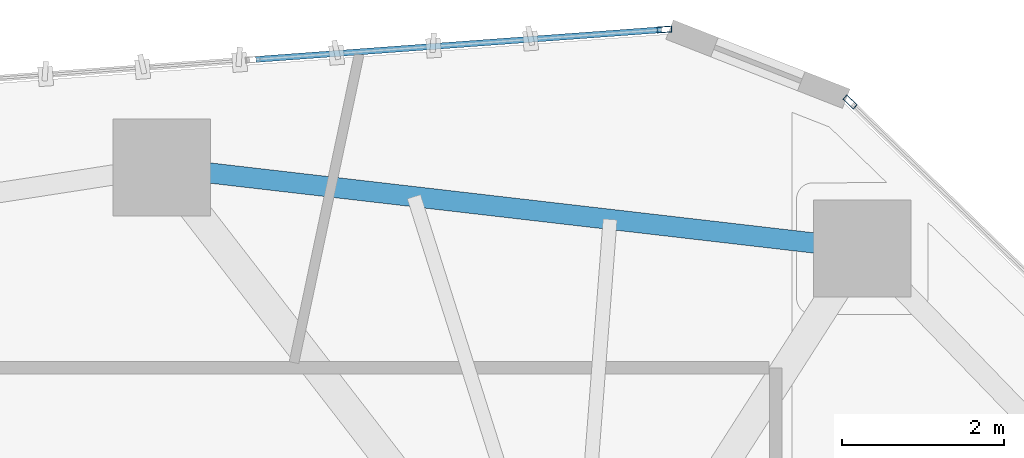
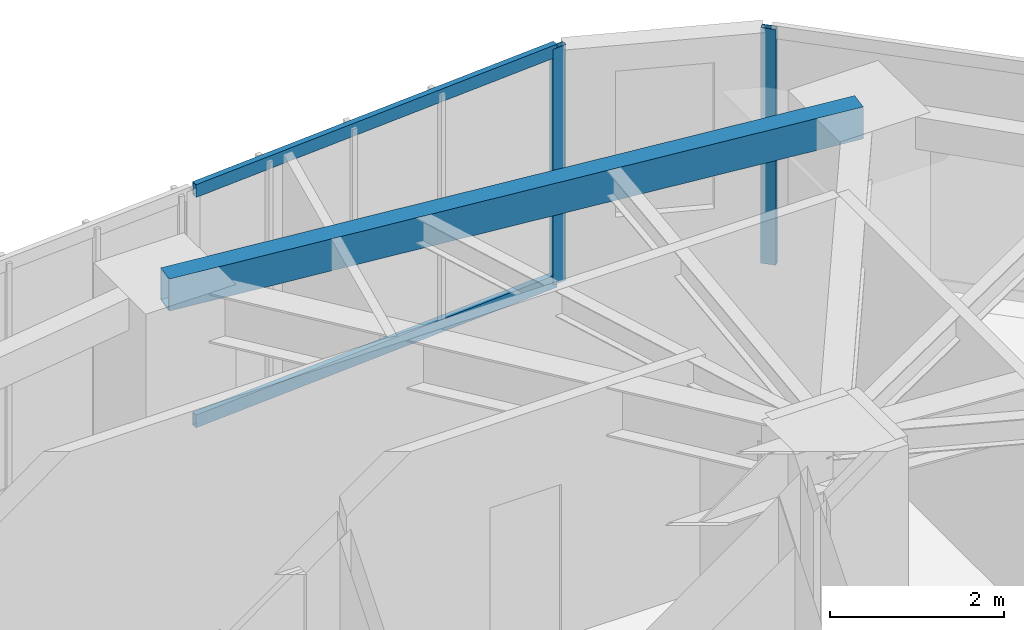
# One storey, part 16 of 23: 4 members, 1 beam, 2 elements without a shape of their own.
"""IFC4 building model written with IfcOpenShell, lengths in metres."""

from ifc_helpers import new_model, si_unit, direction, frame, origin, origin_2d, place, context, subcontext, project, spatial, hollow_rectangle, extrude, source, transform, mapped, material, layer, layer_set, material_profile, profile_set, type_object, type_shapes, element, aggregate, save


model = new_model("IFC4")

# Units and contexts
model_context = context("Model", 3, precision=1e-05, world=origin(), true_north=direction((0.0, 1.0)))
body_context = subcontext(model_context, "Body", "Model", "MODEL_VIEW")
ifc_project = project(units=[si_unit("LENGTHUNIT", "METRE"), si_unit("AREAUNIT", "SQUARE_METRE"), si_unit("VOLUMEUNIT", "CUBIC_METRE"), si_unit("PLANEANGLEUNIT", "RADIAN"), si_unit("MASSUNIT", "GRAM", prefix="KILO")], contexts=[model_context])

# Site, building, storey
site_placement = place(None, origin())
site = spatial("IfcSite", under=ifc_project, at=site_placement, CompositionType="ELEMENT")
building_placement = place(site_placement, origin())
building = spatial("IfcBuilding", under=site, at=building_placement, Name="Talar Marvaseh", CompositionType="ELEMENT")
storey_placement = place(building_placement, frame((0.0, 0.0, 103.800048828125)))
storey = spatial("IfcBuildingStorey", under=building, at=storey_placement, Name="L26", CompositionType="ELEMENT", Elevation=103.800048828125)

# Beam
ifc_material_1 = material(Name="Steel S355", Category="steel")
ifc_material_profile_1 = material_profile(ifc_material_1, hollow_rectangle(XDim=0.25, YDim=0.449951171875, WallThickness=0.01611328125, at=origin_2d()), Name="RHS450x250x16")
ifc_profile_set_1 = profile_set([ifc_material_profile_1], Name="Steel S355")
beam_type = type_object("IfcBeamType", Name="Zone 2 Perimeter Spandrel Beam RHS450x250x16", PredefinedType="SPANDREL", material=ifc_profile_set_1)
beam_placement = place(storey_placement, frame((28.221923828125, 43.471923828125, 3.0849609375), z_axis=(0.993361914569, -0.115030894474, 0.0), x_axis=(0.115030894474, 0.993361914569, 0.0)))
element("IfcBeam", 1, at=beam_placement, inside=storey, type_object=beam_type, Name="L26 Zone 2 Perimeter Spandrel Beam RHS450x250x16", PredefinedType="SPANDREL", context=body_context, shape_type="SweptSolid", body=[
    extrude(hollow_rectangle(XDim=0.25, YDim=0.449951171875, WallThickness=0.01611328125, at=origin_2d()), origin(), (0.0, 0.0, 1.0), 8.701904296875),
])

# Curtain wall, member
ifc_material_2 = material(Name="Architectural Aluminium", Category="aluminium")
ifc_layer = layer(ifc_material_2, 0.199951171875)
ifc_layer_set = layer_set([ifc_layer], Name="Architectural Aluminium")
curtain_wall_type = type_object("IfcCurtainWallType", Name="Unitised Acoustic Library Curtain Wall Z2", PredefinedType="NOTDEFINED", material=ifc_layer_set)
curtain_wall_1_placement = place(storey_placement, origin())
curtain_wall_1 = element("IfcCurtainWall", 2, at=curtain_wall_1_placement, inside=storey, type_object=curtain_wall_type, Name="L26 Unitised Acoustic Library Curtain Wall Z2", PredefinedType="NOTDEFINED")
ifc_material_profile_2 = material_profile(ifc_material_2, hollow_rectangle(XDim=0.074951171875, YDim=0.179931640625, WallThickness=0.0048828125, at=origin_2d()), Name="RHS180x75x5")
ifc_profile_set_2 = profile_set([ifc_material_profile_2], Name="Architectural Aluminium")
member_type_1 = type_object("IfcMemberType", Name="Unitised Curtain Wall Standard Mullion RHS180x75x5", PredefinedType="MULLION", material=ifc_profile_set_2)
shared_shape_1 = source(origin(), body_context, "Body", "SweptSolid", [
    extrude(hollow_rectangle(XDim=0.074951171875, YDim=0.179931640625, WallThickness=0.0048828125, at=origin_2d()), origin(), (0.0, 0.0, 1.0), 3.31005859375),
])
type_shapes(member_type_1, [shared_shape_1])
member_1_placement = place(storey_placement, frame((34.4248046875, 45.173583984375, 0.0), z_axis=(0.0, 0.0, 1.0), x_axis=(-0.072930081355, 0.997337055981, 0.0)))
member_1 = element("IfcMember", 3, at=member_1_placement, type_object=member_type_1, Name="CW-Z2 mullion 4", PredefinedType="MULLION", context=body_context, shape_type="MappedRepresentation", body=[
    mapped(shared_shape_1, transform((0.0, 0.0, 0.0), x_axis=(1.0, 0.0, 0.0), y_axis=(0.0, 1.0, 0.0), z_axis=(0.0, 0.0, 1.0), scale=1.0)),
])

curtain_wall_2_placement = place(storey_placement, origin())
curtain_wall_2 = element("IfcCurtainWall", 4, at=curtain_wall_2_placement, inside=storey, type_object=curtain_wall_type, Name="L26 Unitised Acoustic Library Curtain Wall Z2", PredefinedType="NOTDEFINED")
member_2_placement = place(storey_placement, frame((36.71533203125, 44.280517578125, 0.0), z_axis=(0.0, 0.0, 1.0), x_axis=(0.695868072996, 0.718169635243, 0.0)))
member_2 = element("IfcMember", 5, at=member_2_placement, type_object=member_type_1, Name="CW-Z2 mullion 1", PredefinedType="MULLION", context=body_context, shape_type="MappedRepresentation", body=[
    mapped(shared_shape_1, transform((0.0, 0.0, 0.0), x_axis=(1.0, 0.0, 0.0), y_axis=(0.0, 1.0, 0.0), z_axis=(0.0, 0.0, 1.0), scale=1.0)),
])
aggregate(curtain_wall_2, [member_2])

# Member
ifc_material_profile_3 = material_profile(ifc_material_2, hollow_rectangle(XDim=0.074951171875, YDim=0.179931640625, WallThickness=0.0048828125, at=origin_2d()), Name="RHS180x75x5")
ifc_profile_set_3 = profile_set([ifc_material_profile_3], Name="Architectural Aluminium")
member_type_2 = type_object("IfcMemberType", Name="Unitised Curtain Wall Transom RHS180x75x5", PredefinedType="USERDEFINED", material=ifc_profile_set_3)
shared_shape_2 = source(origin(), body_context, "Body", "SweptSolid", [
    extrude(hollow_rectangle(XDim=0.074951171875, YDim=0.179931640625, WallThickness=0.0048828125, at=origin_2d()), origin(), (0.0, 0.0, 1.0), 5.017578125),
])
type_shapes(member_type_2, [shared_shape_2])
member_3_placement = place(storey_placement, frame((29.38330078125, 44.804931640625, 0.037353515625), z_axis=(0.997336486863, 0.072937863776, 0.0), x_axis=(-0.072937863776, 0.997336486863, 0.0)))
member_3 = element("IfcMember", 6, at=member_3_placement, type_object=member_type_2, Name="CW-Z2 transom 3.1", ObjectType="TRANSOM", PredefinedType="USERDEFINED", context=body_context, shape_type="MappedRepresentation", body=[
    mapped(shared_shape_2, transform((0.0, 0.0, 0.0), x_axis=(1.0, 0.0, 0.0), y_axis=(0.0, 1.0, 0.0), z_axis=(0.0, 0.0, 1.0), scale=1.0)),
])

member_4_placement = place(storey_placement, frame((29.38330078125, 44.804931640625, 3.2724609375), z_axis=(0.997336486863, 0.072937863776, 0.0), x_axis=(-0.072937863776, 0.997336486863, 0.0)))
member_4 = element("IfcMember", 7, at=member_4_placement, type_object=member_type_2, Name="CW-Z2 transom 3.2", ObjectType="TRANSOM", PredefinedType="USERDEFINED", context=body_context, shape_type="MappedRepresentation", body=[
    mapped(shared_shape_2, transform((0.0, 0.0, 0.0), x_axis=(1.0, 0.0, 0.0), y_axis=(0.0, 1.0, 0.0), z_axis=(0.0, 0.0, 1.0), scale=1.0)),
])

aggregate(curtain_wall_1, [member_1, member_3, member_4])

save(model, "model.ifc")
